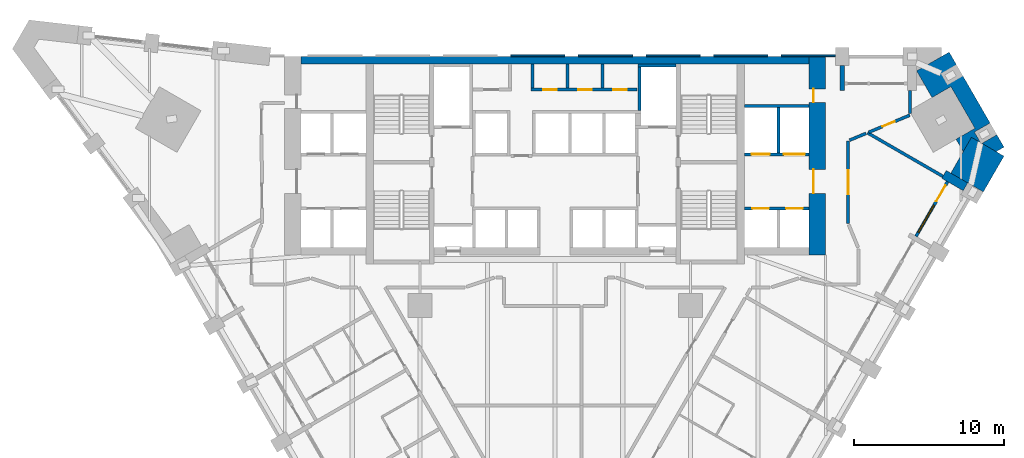
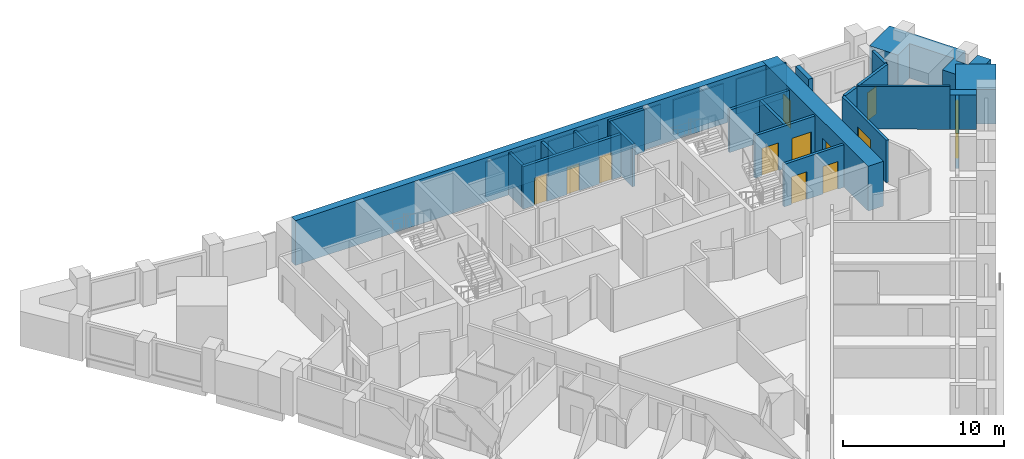
# One storey, part 9 of 11: 28 walls, 12 doors, 1 window, 13 openings.
"""IFC4 building model written with IfcOpenShell, lengths in metres."""

from ifc_helpers import new_model, si_unit, direction, frame, frame_2d, origin, place, context, subcontext, project, spatial, polyline, rectangle, outline, extrude, material, layer, layer_set, type_object, element, fill, save


model = new_model("IFC4")

# Units and contexts
model_context = context("Model", 3, precision=1e-05, world=origin(), true_north=direction((0.0, 1.0)))
body_context = subcontext(model_context, "Body", "Model", "MODEL_VIEW")
ifc_project = project(units=[si_unit("LENGTHUNIT", "METRE"), si_unit("AREAUNIT", "SQUARE_METRE"), si_unit("VOLUMEUNIT", "CUBIC_METRE"), si_unit("PLANEANGLEUNIT", "RADIAN"), si_unit("MASSUNIT", "GRAM", prefix="KILO")], contexts=[model_context])

# Site, building, storey
site_placement = place(None, origin())
site = spatial("IfcSite", under=ifc_project, at=site_placement, CompositionType="ELEMENT")
building_placement = place(site_placement, origin())
building = spatial("IfcBuilding", under=site, at=building_placement, Name="Calabash Gate Tower", CompositionType="ELEMENT")
storey_placement = place(building_placement, frame((0.0, 0.0, 52.800048828125)))
storey = spatial("IfcBuildingStorey", under=building, at=storey_placement, Name="L08", CompositionType="ELEMENT", Elevation=52.800048828125)

# Walls
ifc_material_1 = material(Name="Terracotta brick masonry, exposed face", Category="masonry")
ifc_layer_1 = layer(ifc_material_1, 2.5)
ifc_layer_set_1 = layer_set([ifc_layer_1], Name="Brick corner mass wall 2500")
wall_type_1 = type_object("IfcWallType", Name="Brick corner mass wall 2500", PredefinedType="SOLIDWALL", material=ifc_layer_set_1)
wall_1_placement = place(storey_placement, origin())
element("IfcWall", 1, at=wall_1_placement, inside=storey, type_object=wall_type_1, Name="Brick corner pier S01 3a", PredefinedType="SOLIDWALL", context=body_context, shape_type="SweptSolid", body=[
    extrude(outline(polyline([(28.49462890625, 10.049072265625), (29.86962890625, 12.4306640625), (28.39990234375, 13.279052734375), (28.35546875, 13.253173828125), (28.310791015625, 13.33056640625), (27.70458984375, 13.6806640625), (26.32958984375, 11.299072265625), (28.49462890625, 10.049072265625)])), origin(), (0.0, 0.0, 1.0), 2.6298828125),
])
wall_2_placement = place(storey_placement, origin())
element("IfcWall", 2, at=wall_2_placement, inside=storey, type_object=wall_type_1, Name="Brick corner pier S01 3ba", PredefinedType="SOLIDWALL", context=body_context, shape_type="SweptSolid", body=[
    extrude(outline(polyline([(29.35009765625, 12.73046875), (29.86962890625, 13.030517578125), (29.39453125, 13.853271484375), (28.39990234375, 13.279052734375), (29.35009765625, 12.73046875)])), origin(), (0.0, 0.0, 1.0), 2.6298828125),
])
wall_3_placement = place(storey_placement, origin())
element("IfcWall", 3, at=wall_3_placement, inside=storey, type_object=wall_type_1, Name="Brick corner pier S01 3bb", PredefinedType="SOLIDWALL", context=body_context, shape_type="SweptSolid", body=[
    extrude(outline(polyline([(27.935546875, 14.28125), (26.679443359375, 13.55615234375), (27.156005859375, 12.73046875), (27.70458984375, 13.6806640625), (28.310791015625, 13.33056640625), (27.9052734375, 14.03271484375), (28.944580078125, 14.6328125), (26.2197265625, 19.3525390625), (24.054443359375, 18.1025390625), (25.079345703125, 16.327392578125), (26.335693359375, 17.052734375), (27.935546875, 14.28125)])), origin(), (0.0, 0.0, 1.0), 2.6298828125),
])
ifc_material_2 = material(Name="Terracotta brick masonry, exposed face", Category="masonry")
ifc_layer_2 = layer(ifc_material_2, 0.300048828125)
ifc_layer_set_2 = layer_set([ifc_layer_2], Name="Brick loggia cheek wall 300")
wall_type_2 = type_object("IfcWallType", Name="Brick loggia cheek wall 300", PredefinedType="SOLIDWALL", material=ifc_layer_set_2)
wall_4_placement = place(storey_placement, frame((25.87646484375, 11.214111328125, 0.0), z_axis=(0.0, 0.0, 1.0), x_axis=(0.866040211805, -0.499974350878, 0.0)))
element("IfcWall", 4, at=wall_4_placement, inside=storey, type_object=wall_type_2, Name="Loggia cheek S01 SE2.10", PredefinedType="SOLIDWALL", context=body_context, shape_type="SweptSolid", body=[
    extrude(rectangle(XDim=1.64990234375, YDim=0.60009765625, at=frame_2d((0.824951171875, 0.0))), origin(), (0.0, 0.0, 1.0), 2.64990234375),
])
wall_5_placement = place(storey_placement, origin())
element("IfcWall", 5, at=wall_5_placement, inside=storey, type_object=wall_type_2, Name="Loggia cheek S01 N4.1", PredefinedType="SOLIDWALL", context=body_context, shape_type="SweptSolid", body=[
    extrude(outline(polyline([(18.949951171875, 18.45263671875), (18.949951171875, 16.802490234375), (19.25, 16.802490234375), (19.25, 18.45263671875), (18.949951171875, 18.45263671875)])), origin(), (0.0, 0.0, 1.0), 2.64990234375),
])
ifc_material_3 = material(Name="Gypsum board on steel studs, mineral wool", Category="steel")
ifc_layer_3 = layer(ifc_material_3, 0.199951171875)
ifc_layer_set_3 = layer_set([ifc_layer_3], Name="Core partition 200 gypsum board")
wall_type_3 = type_object("IfcWallType", Name="Core partition 200 gypsum board", PredefinedType="PARTITIONING", material=ifc_layer_set_3)
for number, where, z_axis, x_axis, name in (
    (6, (-1.5, 16.95263671875, 0.0), (0.0, 0.0, 1.0), (0.0, 1.0, 0.0), "Core partition"),
    (7, (0.833251953125, 16.95263671875, 0.0), (0.0, 0.0, 1.0), (0.0, 1.0, 0.0), "Core partition"),
    (8, (3.166748046875, 16.95263671875, 0.0), (0.0, 0.0, 1.0), (0.0, 1.0, 0.0), "Core partition"),
):
    element("IfcWall", number, at=place(storey_placement, frame(where, z_axis=z_axis, x_axis=x_axis)), inside=storey, type_object=wall_type_3, Name=name, PredefinedType="PARTITIONING", context=body_context, shape_type="SweptSolid", body=[
        extrude(rectangle(XDim=1.599853515625, YDim=0.199951171875, at=frame_2d((0.7998046875, 0.0))), origin(), (0.0, 0.0, 1.0), 3.22998046875),
    ])

# Wall, openings, doors
ifc_material_4 = material(Name="Concrete C80/95", Category="concrete")
ifc_layer_4 = layer(ifc_material_4, 1.10009765625)
ifc_layer_set_4 = layer_set([ifc_layer_4], Name="Core wall 1100 Concrete C80/95")
wall_type_4 = type_object("IfcWallType", Name="Core wall 1100 Concrete C80/95", PredefinedType="SHEAR", material=ifc_layer_set_4)
wall_6_placement = place(storey_placement, frame((17.449951171875, 5.8525390625, 0.0), z_axis=(0.0, 0.0, 1.0), x_axis=(0.0, 1.0, 0.0)))
wall_6 = element("IfcWall", 9, at=wall_6_placement, inside=storey, type_object=wall_type_4, Name="Core wall Z1-ENDE L08", PredefinedType="SHEAR", context=body_context, shape_type="SweptSolid", body=[
    extrude(rectangle(XDim=13.199951171875, YDim=1.10009765625, at=frame_2d((6.60009765625, 0.0))), origin(), (0.0, 0.0, 1.0), 3.39990234375),
])
opening_1_placement = place(wall_6_placement, frame((4.10009765625, 0.0, 0.0)))
opening_1 = element("IfcOpeningElement", 10, at=opening_1_placement, cuts=wall_6, Name="Opening H1-002", PredefinedType="OPENING", context=body_context, shape_type="SweptSolid", body=[
    extrude(rectangle(XDim=1.60009765625, YDim=2.10009765625, at=frame_2d((0.800048828125, 1.050048828125))), frame((0.0, 0.56005859375, 0.0), z_axis=(0.0, -1.0, 0.0), x_axis=(1.0, 0.0, 0.0)), (0.0, 0.0, 1.0), 1.1201171875),
])
opening_2_placement = place(wall_6_placement, frame((10.14990234375, 0.0, 0.0)))
opening_2 = element("IfcOpeningElement", 11, at=opening_2_placement, cuts=wall_6, Name="Opening H1-001", PredefinedType="OPENING", context=body_context, shape_type="SweptSolid", body=[
    extrude(rectangle(XDim=0.89990234375, YDim=2.10009765625, at=frame_2d((0.449951171875, 1.050048828125))), frame((0.0, 0.56005859375, 0.0), z_axis=(0.0, -1.0, 0.0), x_axis=(1.0, 0.0, 0.0)), (0.0, 0.0, 1.0), 1.1201171875),
])
ifc_material_5 = material(Name="Steel fire door set with fire-resisting glazing", Category="steel")
door_type_1 = type_object("IfcDoorType", Name="Double fire door D08 1600x2100 FD60", OperationType="DOUBLE_DOOR_SINGLE_SWING", PredefinedType="DOOR", material=ifc_material_5)
door_1_placement = place(opening_1_placement, origin())
door_1 = element("IfcDoor", 12, at=door_1_placement, inside=storey, type_object=door_type_1, Name="Low-rise Lift Lobby E door", OperationType="DOUBLE_DOOR_SINGLE_SWING", OverallHeight=2.10009765625, OverallWidth=1.60009765625, PredefinedType="DOOR", context=body_context, shape_type="SweptSolid", body=[
    extrude(rectangle(XDim=1.60009765625, YDim=2.10009765625, at=frame_2d((0.800048828125, 1.050048828125))), frame((0.0, 0.27490234375, 0.0), z_axis=(0.0, -1.0, 0.0), x_axis=(1.0, 0.0, 0.0)), (0.0, 0.0, 1.0), 0.050048828125),
])
fill(opening_1, door_1)
ifc_material_6 = material(Name="Steel fire door set with fire-resisting glazing", Category="steel")
door_type_2 = type_object("IfcDoorType", Name="Fire door D06 900x2100 FD60", OperationType="NOTDEFINED", PredefinedType="DOOR", material=ifc_material_6)
door_2_placement = place(opening_2_placement, origin())
door_2 = element("IfcDoor", 13, at=door_2_placement, inside=storey, type_object=door_type_2, Name="Cleaner's Store door", OperationType="SINGLE_SWING_LEFT", OverallHeight=2.10009765625, OverallWidth=0.89990234375, PredefinedType="DOOR", context=body_context, shape_type="SweptSolid", body=[
    extrude(rectangle(XDim=0.89990234375, YDim=2.10009765625, at=frame_2d((0.449951171875, 1.050048828125))), frame((0.0, 0.27490234375, 0.0), z_axis=(0.0, -1.0, 0.0), x_axis=(1.0, 0.0, 0.0)), (0.0, 0.0, 1.0), 0.050048828125),
])
fill(opening_2, door_2)

# Wall
ifc_material_7 = material(Name="Concrete C80/95", Category="concrete")
ifc_layer_5 = layer(ifc_material_7, 0.5)
ifc_layer_set_5 = layer_set([ifc_layer_5], Name="Core wall 500 Concrete C80/95")
wall_type_5 = type_object("IfcWallType", Name="Core wall 500 Concrete C80/95", PredefinedType="SHEAR", material=ifc_layer_set_5)
wall_7_placement = place(storey_placement, frame((-16.89990234375, 18.802490234375, 0.0), z_axis=(0.0, 0.0, 1.0), x_axis=(1.0, 0.0, 0.0)))
element("IfcWall", 14, at=wall_7_placement, inside=storey, type_object=wall_type_5, Name="Core wall Z1-N L08", PredefinedType="SHEAR", context=body_context, shape_type="SweptSolid", body=[
    extrude(rectangle(XDim=33.7998046875, YDim=0.5, at=frame_2d((16.89990234375, 0.0))), origin(), (0.0, 0.0, 1.0), 3.39990234375),
])

# Wall, opening, door
ifc_material_8 = material(Name="Gypsum board on steel studs, mineral wool", Category="steel")
ifc_layer_6 = layer(ifc_material_8, 0.199951171875)
ifc_layer_set_6 = layer_set([ifc_layer_6], Name="Partition 200 gypsum board EI 60")
wall_type_6 = type_object("IfcWallType", Name="Partition 200 gypsum board EI 60", PredefinedType="PARTITIONING", material=ifc_layer_set_6)
wall_8_placement = place(storey_placement, frame((19.50048828125, 7.95263671875, 0.0), z_axis=(0.0, 0.0, 1.0), x_axis=(0.0, 1.0, 0.0)))
wall_8 = element("IfcWall", 15, at=wall_8_placement, inside=storey, type_object=wall_type_6, Name="Partition", PredefinedType="PARTITIONING", context=body_context, shape_type="SweptSolid", body=[
    extrude(rectangle(XDim=5.49951171875, YDim=0.199951171875, at=frame_2d((2.749755859375, 0.0))), origin(), (0.0, 0.0, 1.0), 3.22998046875),
])
opening_3_placement = place(wall_8_placement, frame((1.94970703125, 0.0, 0.0)))
opening_3 = element("IfcOpeningElement", 16, at=opening_3_placement, cuts=wall_8, Name="Opening 06-08-027", PredefinedType="OPENING", context=body_context, shape_type="SweptSolid", body=[
    extrude(rectangle(XDim=1.60009765625, YDim=2.10009765625, at=frame_2d((0.800048828125, 1.050048828125))), frame((0.0, 0.10986328125, 0.0), z_axis=(0.0, -1.0, 0.0), x_axis=(1.0, 0.0, 0.0)), (0.0, 0.0, 1.0), 0.219970703125),
])
ifc_material_9 = material(Name="Steel fire door set with fire-resisting glazing", Category="steel")
door_type_3 = type_object("IfcDoorType", Name="LD1 Lounge double door 1600x2100", OperationType="NOTDEFINED", PredefinedType="DOOR", material=ifc_material_9)
door_3_placement = place(opening_3_placement, origin())
door_3 = element("IfcDoor", 17, at=door_3_placement, inside=storey, type_object=door_type_3, Name="Lounge double door", OperationType="DOUBLE_DOOR_SINGLE_SWING", OverallHeight=2.10009765625, OverallWidth=1.60009765625, PredefinedType="DOOR", context=body_context, shape_type="SweptSolid", body=[
    extrude(rectangle(XDim=1.60009765625, YDim=2.10009765625, at=frame_2d((0.800048828125, 1.050048828125))), frame((0.0, 0.02490234375, 0.0), z_axis=(0.0, -1.0, 0.0), x_axis=(1.0, 0.0, 0.0)), (0.0, 0.0, 1.0), 0.050048828125),
])
fill(opening_3, door_3)

# Walls
wall_9_placement = place(storey_placement, frame((19.593017578125, 13.490478515625, 0.0), z_axis=(0.0, 0.0, 1.0), x_axis=(0.924174624958, 0.381970237825, 0.0)))
element("IfcWall", 18, at=wall_9_placement, inside=storey, type_object=wall_type_6, Name="Partition", PredefinedType="PARTITIONING", context=body_context, shape_type="SweptSolid", body=[
    extrude(rectangle(XDim=1.18701171875, YDim=0.199951171875, at=frame_2d((0.593505859375, 0.0))), origin(), (0.0, 0.0, 1.0), 3.22998046875),
])
wall_10_placement = place(storey_placement, frame((20.782958984375, 13.98388671875, 0.0), z_axis=(0.0, 0.0, 1.0), x_axis=(0.865879670097, -0.50025233324, 0.0)))
element("IfcWall", 19, at=wall_10_placement, inside=storey, type_object=wall_type_6, Name="Partition", PredefinedType="PARTITIONING", context=body_context, shape_type="SweptSolid", body=[
    extrude(rectangle(XDim=5.7958984375, YDim=0.199951171875, at=frame_2d((2.89794921875, 0.0))), origin(), (0.0, 0.0, 1.0), 3.22998046875),
])

# Wall, opening, door
wall_11_placement = place(storey_placement, frame((20.875, 14.0205078125, 0.0), z_axis=(0.0, 0.0, 1.0), x_axis=(0.923541353386, 0.383498850828, 0.0)))
wall_11 = element("IfcWall", 20, at=wall_11_placement, inside=storey, type_object=wall_type_6, Name="Partition", PredefinedType="PARTITIONING", context=body_context, shape_type="SweptSolid", body=[
    extrude(rectangle(XDim=2.95068359375, YDim=0.199951171875, at=frame_2d((1.475341796875, 0.0))), origin(), (0.0, 0.0, 1.0), 3.22998046875),
])
opening_4_placement = place(wall_11_placement, frame((0.974853515625, 0.0, 0.0)))
opening_4 = element("IfcOpeningElement", 21, at=opening_4_placement, cuts=wall_11, Name="Opening 06-08-028", PredefinedType="OPENING", context=body_context, shape_type="SweptSolid", body=[
    extrude(rectangle(XDim=0.89990234375, YDim=2.10009765625, at=frame_2d((0.449951171875, 1.050048828125))), frame((0.0, 0.10986328125, 0.0), z_axis=(0.0, -1.0, 0.0), x_axis=(1.0, 0.0, 0.0)), (0.0, 0.0, 1.0), 0.219970703125),
])
ifc_material_10 = material(Name="Steel fire door set with fire-resisting glazing", Category="steel")
door_type_4 = type_object("IfcDoorType", Name="SD3 Store door 900x2100", OperationType="NOTDEFINED", PredefinedType="DOOR", material=ifc_material_10)
door_4_placement = place(opening_4_placement, origin())
door_4 = element("IfcDoor", 22, at=door_4_placement, inside=storey, type_object=door_type_4, Name="Store door", OperationType="SINGLE_SWING_RIGHT", OverallHeight=2.10009765625, OverallWidth=0.89990234375, PredefinedType="DOOR", context=body_context, shape_type="SweptSolid", body=[
    extrude(rectangle(XDim=0.89990234375, YDim=2.10009765625, at=frame_2d((0.449951171875, 1.050048828125))), frame((0.0, 0.02490234375, 0.0), z_axis=(0.0, -1.0, 0.0), x_axis=(1.0, 0.0, 0.0)), (0.0, 0.0, 1.0), 0.050048828125),
])
fill(opening_4, door_4)

# Wall
wall_12_placement = place(storey_placement, frame((23.600341796875, 15.252197265625, 0.0), z_axis=(0.0, 0.0, 1.0), x_axis=(0.000157480313, 0.9999999876, 0.0)))
element("IfcWall", 23, at=wall_12_placement, inside=storey, type_object=wall_type_6, Name="Partition", PredefinedType="PARTITIONING", context=body_context, shape_type="SweptSolid", body=[
    extrude(rectangle(XDim=1.55029296875, YDim=0.199951171875, at=frame_2d((0.775146484375, 0.0))), origin(), (0.0, 0.0, 1.0), 3.22998046875),
])

# Wall, openings, doors
ifc_material_11 = material(Name="Concrete C40/50", Category="concrete")
ifc_layer_7 = layer(ifc_material_11, 0.199951171875)
ifc_layer_set_7 = layer_set([ifc_layer_7], Name="Shaft wall 200 Concrete C40/50")
wall_type_7 = type_object("IfcWallType", Name="Shaft wall 200 Concrete C40/50", PredefinedType="SOLIDWALL", material=ifc_layer_set_7)
wall_13_placement = place(storey_placement, frame((12.60009765625, 8.95263671875, 0.0), z_axis=(0.0, 0.0, 1.0), x_axis=(1.0, 0.0, 0.0)))
wall_13 = element("IfcWall", 24, at=wall_13_placement, inside=storey, type_object=wall_type_7, Name="Shaft wall", PredefinedType="SOLIDWALL", context=body_context, shape_type="SweptSolid", body=[
    extrude(rectangle(XDim=4.2998046875, YDim=0.199951171875, at=frame_2d((2.14990234375, 0.0))), origin(), (0.0, 0.0, 1.0), 3.22998046875),
])
opening_5_placement = place(wall_13_placement, frame((0.52490234375, 0.0, 0.0)))
opening_5 = element("IfcOpeningElement", 25, at=opening_5_placement, cuts=wall_13, Name="Opening LD-LR5", PredefinedType="OPENING", context=body_context, shape_type="SweptSolid", body=[
    extrude(rectangle(XDim=1.10009765625, YDim=2.10009765625, at=frame_2d((0.550048828125, 1.050048828125))), frame((0.0, 0.10986328125, 0.0), z_axis=(0.0, -1.0, 0.0), x_axis=(1.0, 0.0, 0.0)), (0.0, 0.0, 1.0), 0.219970703125),
])
opening_6_placement = place(wall_13_placement, frame((2.77490234375, 0.0, 0.0)))
opening_6 = element("IfcOpeningElement", 26, at=opening_6_placement, cuts=wall_13, Name="Opening LD-LR6", PredefinedType="OPENING", context=body_context, shape_type="SweptSolid", body=[
    extrude(rectangle(XDim=1.10009765625, YDim=2.10009765625, at=frame_2d((0.550048828125, 1.050048828125))), frame((0.0, 0.10986328125, 0.0), z_axis=(0.0, -1.0, 0.0), x_axis=(1.0, 0.0, 0.0)), (0.0, 0.0, 1.0), 0.219970703125),
])
ifc_material_12 = material(Name="Stainless steel sliding door leaves", Category="steel")
door_type_5 = type_object("IfcDoorType", Name="Lift landing door LS1 1100x2100 FD90", OperationType="DOUBLE_DOOR_SLIDING", PredefinedType="DOOR", material=ifc_material_12)
door_5_placement = place(opening_5_placement, origin())
door_5 = element("IfcDoor", 27, at=door_5_placement, inside=storey, type_object=door_type_5, Name="Lift landing door LR5", OperationType="DOUBLE_DOOR_SLIDING", OverallHeight=2.10009765625, OverallWidth=1.10009765625, PredefinedType="DOOR", context=body_context, shape_type="SweptSolid", body=[
    extrude(rectangle(XDim=1.10009765625, YDim=2.10009765625, at=frame_2d((0.550048828125, 1.050048828125))), frame((0.0, 0.02490234375, 0.0), z_axis=(0.0, -1.0, 0.0), x_axis=(1.0, 0.0, 0.0)), (0.0, 0.0, 1.0), 0.050048828125),
])
fill(opening_5, door_5)
door_6_placement = place(opening_6_placement, origin())
door_6 = element("IfcDoor", 28, at=door_6_placement, inside=storey, type_object=door_type_5, Name="Lift landing door LR6", OperationType="DOUBLE_DOOR_SLIDING", OverallHeight=2.10009765625, OverallWidth=1.10009765625, PredefinedType="DOOR", context=body_context, shape_type="SweptSolid", body=[
    extrude(rectangle(XDim=1.10009765625, YDim=2.10009765625, at=frame_2d((0.550048828125, 1.050048828125))), frame((0.0, 0.02490234375, 0.0), z_axis=(0.0, -1.0, 0.0), x_axis=(1.0, 0.0, 0.0)), (0.0, 0.0, 1.0), 0.050048828125),
])
fill(opening_6, door_6)

wall_14_placement = place(storey_placement, frame((12.60009765625, 12.552490234375, 0.0), z_axis=(0.0, 0.0, 1.0), x_axis=(1.0, 0.0, 0.0)))
wall_14 = element("IfcWall", 29, at=wall_14_placement, inside=storey, type_object=wall_type_7, Name="Shaft wall", PredefinedType="SOLIDWALL", context=body_context, shape_type="SweptSolid", body=[
    extrude(rectangle(XDim=4.2998046875, YDim=0.199951171875, at=frame_2d((2.14990234375, 0.0))), origin(), (0.0, 0.0, 1.0), 3.22998046875),
])
opening_7_placement = place(wall_14_placement, frame((0.47509765625, 0.0, 0.0)))
opening_7 = element("IfcOpeningElement", 30, at=opening_7_placement, cuts=wall_14, Name="Opening LD-SL1", PredefinedType="OPENING", context=body_context, shape_type="SweptSolid", body=[
    extrude(rectangle(XDim=1.199951171875, YDim=2.10009765625, at=frame_2d((0.60009765625, 1.050048828125))), frame((0.0, 0.10986328125, 0.0), z_axis=(0.0, -1.0, 0.0), x_axis=(1.0, 0.0, 0.0)), (0.0, 0.0, 1.0), 0.219970703125),
])
opening_8_placement = place(wall_14_placement, frame((2.625, 0.0, 0.0)))
opening_8 = element("IfcOpeningElement", 31, at=opening_8_placement, cuts=wall_14, Name="Opening LD-GL1", PredefinedType="OPENING", context=body_context, shape_type="SweptSolid", body=[
    extrude(rectangle(XDim=1.39990234375, YDim=2.10009765625, at=frame_2d((0.699951171875, 1.050048828125))), frame((0.0, 0.10986328125, 0.0), z_axis=(0.0, -1.0, 0.0), x_axis=(1.0, 0.0, 0.0)), (0.0, 0.0, 1.0), 0.219970703125),
])
ifc_material_13 = material(Name="Stainless steel sliding door leaves", Category="steel")
door_type_6 = type_object("IfcDoorType", Name="Lift landing door LS3 1200x2100 FD90", OperationType="DOUBLE_DOOR_SLIDING", PredefinedType="DOOR", material=ifc_material_13)
door_7_placement = place(opening_7_placement, origin())
door_7 = element("IfcDoor", 32, at=door_7_placement, inside=storey, type_object=door_type_6, Name="Lift landing door SL1", OperationType="DOUBLE_DOOR_SLIDING", OverallHeight=2.10009765625, OverallWidth=1.199951171875, PredefinedType="DOOR", context=body_context, shape_type="SweptSolid", body=[
    extrude(rectangle(XDim=1.199951171875, YDim=2.10009765625, at=frame_2d((0.60009765625, 1.050048828125))), frame((0.0, 0.02490234375, 0.0), z_axis=(0.0, -1.0, 0.0), x_axis=(1.0, 0.0, 0.0)), (0.0, 0.0, 1.0), 0.050048828125),
])
fill(opening_7, door_7)
ifc_material_14 = material(Name="Stainless steel sliding door leaves", Category="steel")
door_type_7 = type_object("IfcDoorType", Name="Lift landing door LS4 1400x2100 FD90", OperationType="DOUBLE_DOOR_SLIDING", PredefinedType="DOOR", material=ifc_material_14)
door_8_placement = place(opening_8_placement, origin())
door_8 = element("IfcDoor", 33, at=door_8_placement, inside=storey, type_object=door_type_7, Name="Lift landing door GL1", OperationType="DOUBLE_DOOR_SLIDING", OverallHeight=2.10009765625, OverallWidth=1.39990234375, PredefinedType="DOOR", context=body_context, shape_type="SweptSolid", body=[
    extrude(rectangle(XDim=1.39990234375, YDim=2.10009765625, at=frame_2d((0.699951171875, 1.050048828125))), frame((0.0, 0.02490234375, 0.0), z_axis=(0.0, -1.0, 0.0), x_axis=(1.0, 0.0, 0.0)), (0.0, 0.0, 1.0), 0.050048828125),
])
fill(opening_8, door_8)

# Walls
wall_15_placement = place(storey_placement, frame((14.85009765625, 12.652587890625, 0.0), z_axis=(0.0, 0.0, 1.0), x_axis=(0.0, 1.0, 0.0)))
element("IfcWall", 34, at=wall_15_placement, inside=storey, type_object=wall_type_7, Name="Shaft wall", PredefinedType="SOLIDWALL", context=body_context, shape_type="SweptSolid", body=[
    extrude(rectangle(XDim=3.0, YDim=0.199951171875, at=frame_2d((1.5, 0.0))), origin(), (0.0, 0.0, 1.0), 3.22998046875),
])
wall_16_placement = place(storey_placement, frame((5.60009765625, 15.45263671875, 0.0), z_axis=(0.0, 0.0, 1.0), x_axis=(0.0, 1.0, 0.0)))
element("IfcWall", 35, at=wall_16_placement, inside=storey, type_object=wall_type_7, Name="Shaft wall", PredefinedType="SOLIDWALL", context=body_context, shape_type="SweptSolid", body=[
    extrude(rectangle(XDim=2.89990234375, YDim=0.199951171875, at=frame_2d((1.449951171875, 0.0))), origin(), (0.0, 0.0, 1.0), 3.22998046875),
])
wall_17_placement = place(storey_placement, frame((12.60009765625, 15.752685546875, 0.0), z_axis=(0.0, 0.0, 1.0), x_axis=(1.0, 0.0, 0.0)))
element("IfcWall", 36, at=wall_17_placement, inside=storey, type_object=wall_type_7, Name="Shaft wall", PredefinedType="SOLIDWALL", context=body_context, shape_type="SweptSolid", body=[
    extrude(rectangle(XDim=4.2998046875, YDim=0.199951171875, at=frame_2d((2.14990234375, 0.0))), origin(), (0.0, 0.0, 1.0), 3.22998046875),
])

# Wall, openings, doors
wall_18_placement = place(storey_placement, frame((-1.60009765625, 16.8525390625, 0.0), z_axis=(0.0, 0.0, 1.0), x_axis=(1.0, 0.0, 0.0)))
wall_18 = element("IfcWall", 37, at=wall_18_placement, inside=storey, type_object=wall_type_7, Name="Shaft wall", PredefinedType="SOLIDWALL", context=body_context, shape_type="SweptSolid", body=[
    extrude(rectangle(XDim=7.050048828125, YDim=0.199951171875, at=frame_2d((3.52490234375, 0.0))), origin(), (0.0, 0.0, 1.0), 3.22998046875),
])
opening_9_placement = place(wall_18_placement, frame((0.816650390625, 0.0, 0.0)))
opening_9 = element("IfcOpeningElement", 38, at=opening_9_placement, cuts=wall_18, Name="Opening H1-009", PredefinedType="OPENING", context=body_context, shape_type="SweptSolid", body=[
    extrude(rectangle(XDim=0.89990234375, YDim=2.10009765625, at=frame_2d((0.449951171875, 1.050048828125))), frame((0.0, 0.10986328125, 0.0), z_axis=(0.0, -1.0, 0.0), x_axis=(1.0, 0.0, 0.0)), (0.0, 0.0, 1.0), 0.219970703125),
])
opening_10_placement = place(wall_18_placement, frame((3.14990234375, 0.0, 0.0)))
opening_10 = element("IfcOpeningElement", 39, at=opening_10_placement, cuts=wall_18, Name="Opening H1-010", PredefinedType="OPENING", context=body_context, shape_type="SweptSolid", body=[
    extrude(rectangle(XDim=0.89990234375, YDim=2.10009765625, at=frame_2d((0.449951171875, 1.050048828125))), frame((0.0, 0.10986328125, 0.0), z_axis=(0.0, -1.0, 0.0), x_axis=(1.0, 0.0, 0.0)), (0.0, 0.0, 1.0), 0.219970703125),
])
opening_11_placement = place(wall_18_placement, frame((5.4833984375, 0.0, 0.0)))
opening_11 = element("IfcOpeningElement", 40, at=opening_11_placement, cuts=wall_18, Name="Opening H1-011", PredefinedType="OPENING", context=body_context, shape_type="SweptSolid", body=[
    extrude(rectangle(XDim=0.89990234375, YDim=2.10009765625, at=frame_2d((0.449951171875, 1.050048828125))), frame((0.0, 0.10986328125, 0.0), z_axis=(0.0, -1.0, 0.0), x_axis=(1.0, 0.0, 0.0)), (0.0, 0.0, 1.0), 0.219970703125),
])
door_9_placement = place(opening_9_placement, origin())
door_9 = element("IfcDoor", 41, at=door_9_placement, inside=storey, type_object=door_type_2, Name="Linen Store door", OperationType="SINGLE_SWING_LEFT", OverallHeight=2.10009765625, OverallWidth=0.89990234375, PredefinedType="DOOR", context=body_context, shape_type="SweptSolid", body=[
    extrude(rectangle(XDim=0.89990234375, YDim=2.10009765625, at=frame_2d((0.449951171875, 1.050048828125))), frame((0.0, 0.02490234375, 0.0), z_axis=(0.0, -1.0, 0.0), x_axis=(1.0, 0.0, 0.0)), (0.0, 0.0, 1.0), 0.050048828125),
])
fill(opening_9, door_9)
door_10_placement = place(opening_10_placement, origin())
door_10 = element("IfcDoor", 42, at=door_10_placement, inside=storey, type_object=door_type_2, Name="Ice and Vending door", OperationType="SINGLE_SWING_LEFT", OverallHeight=2.10009765625, OverallWidth=0.89990234375, PredefinedType="DOOR", context=body_context, shape_type="SweptSolid", body=[
    extrude(rectangle(XDim=0.89990234375, YDim=2.10009765625, at=frame_2d((0.449951171875, 1.050048828125))), frame((0.0, 0.02490234375, 0.0), z_axis=(0.0, -1.0, 0.0), x_axis=(1.0, 0.0, 0.0)), (0.0, 0.0, 1.0), 0.050048828125),
])
fill(opening_10, door_10)
door_11_placement = place(opening_11_placement, origin())
door_11 = element("IfcDoor", 43, at=door_11_placement, inside=storey, type_object=door_type_2, Name="Cleaner's Store door", OperationType="SINGLE_SWING_RIGHT", OverallHeight=2.10009765625, OverallWidth=0.89990234375, PredefinedType="DOOR", context=body_context, shape_type="SweptSolid", body=[
    extrude(rectangle(XDim=0.89990234375, YDim=2.10009765625, at=frame_2d((0.449951171875, 1.050048828125))), frame((0.0, 0.02490234375, 0.0), z_axis=(0.0, -1.0, 0.0), x_axis=(1.0, 0.0, 0.0)), (0.0, 0.0, 1.0), 0.050048828125),
])
fill(opening_11, door_11)

# Walls
wall_19_placement = place(storey_placement, frame((5.5, 18.45263671875, 0.0), z_axis=(0.0, 0.0, 1.0), x_axis=(1.0, 0.0, 0.0)))
element("IfcWall", 44, at=wall_19_placement, inside=storey, type_object=wall_type_7, Name="Shaft wall", PredefinedType="SOLIDWALL", context=body_context, shape_type="SweptSolid", body=[
    extrude(rectangle(XDim=2.550048828125, YDim=0.199951171875, at=frame_2d((1.27490234375, 0.0))), origin(), (0.0, 0.0, 1.0), 3.22998046875),
])
ifc_material_15 = material(Name="Terracotta brick masonry, perforated", Category="masonry")
ifc_layer_8 = layer(ifc_material_15, 0.1201171875)
ifc_layer_set_8 = layer_set([ifc_layer_8], Name="Terracotta jaali cladding A 120")
wall_type_8 = type_object("IfcWallType", Name="Terracotta jaali cladding A 120", PredefinedType="SOLIDWALL", material=ifc_layer_set_8)
wall_20_placement = place(storey_placement, origin())
element("IfcWall", 45, at=wall_20_placement, inside=storey, type_object=wall_type_8, Name="Jaali cladding S01 N4.3", PredefinedType="SOLIDWALL", context=body_context, shape_type="SweptSolid", body=[
    extrude(outline(polyline([(10.550048828125, 19.172607421875), (10.550048828125, 19.052490234375), (14.14990234375, 19.052490234375), (14.14990234375, 19.172607421875), (10.550048828125, 19.172607421875)])), origin(), (0.0, 0.0, 1.0), 2.64990234375),
])
wall_21_placement = place(storey_placement, origin())
element("IfcWall", 46, at=wall_21_placement, inside=storey, type_object=wall_type_8, Name="Jaali cladding S01 N4.5", PredefinedType="SOLIDWALL", context=body_context, shape_type="SweptSolid", body=[
    extrude(outline(polyline([(1.550048828125, 19.172607421875), (1.550048828125, 19.052490234375), (5.14990234375, 19.052490234375), (5.14990234375, 19.172607421875), (1.550048828125, 19.172607421875)])), origin(), (0.0, 0.0, 1.0), 2.64990234375),
])
ifc_material_16 = material(Name="Terracotta louvre blades in an aluminium frame", Category="masonry")
ifc_layer_9 = layer(ifc_material_16, 0.1201171875)
ifc_layer_set_9 = layer_set([ifc_layer_9], Name="Terracotta vent louvre cladding 120")
wall_type_9 = type_object("IfcWallType", Name="Terracotta vent louvre cladding 120", PredefinedType="ELEMENTEDWALL", material=ifc_layer_set_9)
wall_22_placement = place(storey_placement, origin())
element("IfcWall", 47, at=wall_22_placement, inside=storey, type_object=wall_type_9, Name="Vent louvre cladding S01 N4.2", PredefinedType="ELEMENTEDWALL", context=body_context, shape_type="SweptSolid", body=[
    extrude(outline(polyline([(15.050048828125, 19.172607421875), (15.050048828125, 19.052490234375), (18.6494140625, 19.052490234375), (18.6494140625, 19.172607421875), (15.050048828125, 19.172607421875)])), origin(), (0.0, 0.0, 1.0), 2.64990234375),
])
wall_23_placement = place(storey_placement, origin())
element("IfcWall", 48, at=wall_23_placement, inside=storey, type_object=wall_type_9, Name="Vent louvre cladding S01 N4.4", PredefinedType="ELEMENTEDWALL", context=body_context, shape_type="SweptSolid", body=[
    extrude(outline(polyline([(6.050048828125, 19.172607421875), (6.050048828125, 19.052490234375), (9.64990234375, 19.052490234375), (9.64990234375, 19.172607421875), (6.050048828125, 19.172607421875)])), origin(), (0.0, 0.0, 1.0), 2.64990234375),
])
wall_24_placement = place(storey_placement, origin())
element("IfcWall", 49, at=wall_24_placement, inside=storey, type_object=wall_type_9, Name="Vent louvre cladding S01 N4.6", PredefinedType="ELEMENTEDWALL", context=body_context, shape_type="SweptSolid", body=[
    extrude(outline(polyline([(-2.949951171875, 19.172607421875), (-2.949951171875, 19.052490234375), (0.64990234375, 19.052490234375), (0.64990234375, 19.172607421875), (-2.949951171875, 19.172607421875)])), origin(), (0.0, 0.0, 1.0), 2.64990234375),
])

# Wall, openings, door, window
ifc_material_17 = material(Name="Aluminium framed window wall with insulated spandrel", Category="aluminium")
ifc_layer_10 = layer(ifc_material_17, 0.199951171875)
ifc_layer_set_10 = layer_set([ifc_layer_10], Name="Window wall 200")
wall_type_10 = type_object("IfcWallType", Name="Window wall 200", PredefinedType="ELEMENTEDWALL", material=ifc_layer_set_10)
wall_25_placement = place(storey_placement, frame((24.01611328125, 7.092041015625, 0.0), z_axis=(0.0, 0.0, 1.0), x_axis=(0.500002543286, 0.866023935413, 0.0)))
wall_25 = element("IfcWall", 50, at=wall_25_placement, inside=storey, type_object=wall_type_10, Name="Window wall S01 SE2.10", PredefinedType="ELEMENTEDWALL", context=body_context, shape_type="SweptSolid", body=[
    extrude(rectangle(XDim=4.2001953125, YDim=0.199951171875, at=frame_2d((2.10009765625, 0.0))), origin(), (0.0, 0.0, 1.0), 2.64990234375),
])
opening_12_placement = place(wall_25_placement, frame((0.300048828125, 0.0, 0.60009765625)))
opening_12 = element("IfcOpeningElement", 51, at=opening_12_placement, cuts=wall_25, Name="Opening HW1", PredefinedType="OPENING", context=body_context, shape_type="SweptSolid", body=[
    extrude(rectangle(XDim=2.10009765625, YDim=1.800048828125, at=frame_2d((1.050048828125, 0.89990234375))), frame((0.0, 0.10986328125, 0.0), z_axis=(0.0, -1.0, 0.0), x_axis=(1.0, 0.0, 0.0)), (0.0, 0.0, 1.0), 0.219970703125),
])
opening_13_placement = place(wall_25_placement, frame((2.699951171875, 0.0, 0.0)))
opening_13 = element("IfcOpeningElement", 52, at=opening_13_placement, cuts=wall_25, Name="Opening H1-024", PredefinedType="OPENING", context=body_context, shape_type="SweptSolid", body=[
    extrude(rectangle(XDim=1.199951171875, YDim=2.39990234375, at=frame_2d((0.60009765625, 1.199951171875))), frame((0.0, 0.10986328125, 0.0), z_axis=(0.0, -1.0, 0.0), x_axis=(1.0, 0.0, 0.0)), (0.0, 0.0, 1.0), 0.219970703125),
])
ifc_material_18 = material(Name="Anodised aluminium frame, bronze finish, impact-rated laminated clear glazing", Category="aluminium")
door_type_8 = type_object("IfcDoorType", Name="Loggia door DH1 1200x2400", OperationType="SLIDING_TO_LEFT", PredefinedType="DOOR", material=ifc_material_18)
door_12_placement = place(opening_13_placement, origin())
door_12 = element("IfcDoor", 53, at=door_12_placement, inside=storey, type_object=door_type_8, Name="Loggia door S01 SE2.10", OperationType="SINGLE_SWING_LEFT", OverallHeight=2.39990234375, OverallWidth=1.199951171875, PredefinedType="DOOR", context=body_context, shape_type="SweptSolid", body=[
    extrude(rectangle(XDim=1.199951171875, YDim=2.39990234375, at=frame_2d((0.60009765625, 1.199951171875))), frame((0.0, 0.02490234375, 0.0), z_axis=(0.0, -1.0, 0.0), x_axis=(1.0, 0.0, 0.0)), (0.0, 0.0, 1.0), 0.050048828125),
])
fill(opening_13, door_12)
ifc_material_19 = material(Name="Anodised aluminium frame, bronze finish, impact-rated laminated clear glazing", Category="aluminium")
window_type = type_object("IfcWindowType", Name="Window HW1 2100x1800", PartitioningType="DOUBLE_PANEL_VERTICAL", PredefinedType="WINDOW", material=ifc_material_19)
window_placement = place(opening_12_placement, origin())
window = element("IfcWindow", 54, at=window_placement, inside=storey, type_object=window_type, Name="Window HW1 S01 SE2.10", OverallHeight=1.800048828125, OverallWidth=2.10009765625, PartitioningType="SINGLE_PANEL", PredefinedType="WINDOW", context=body_context, shape_type="SweptSolid", body=[
    extrude(rectangle(XDim=2.10009765625, YDim=1.800048828125, at=frame_2d((1.050048828125, 0.89990234375))), frame((0.0, 0.030029296875, 0.0), z_axis=(0.0, -1.0, 0.0), x_axis=(1.0, 0.0, 0.0)), (0.0, 0.0, 1.0), 0.06005859375),
])
fill(opening_12, window)

save(model, "model.ifc")
